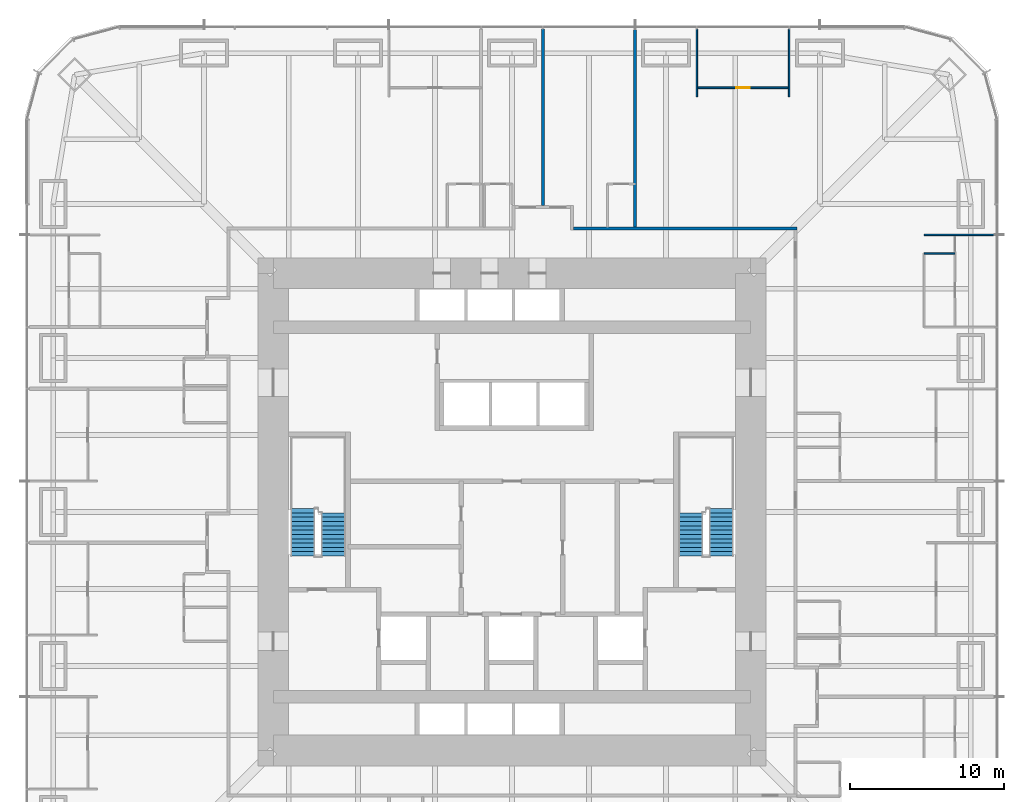
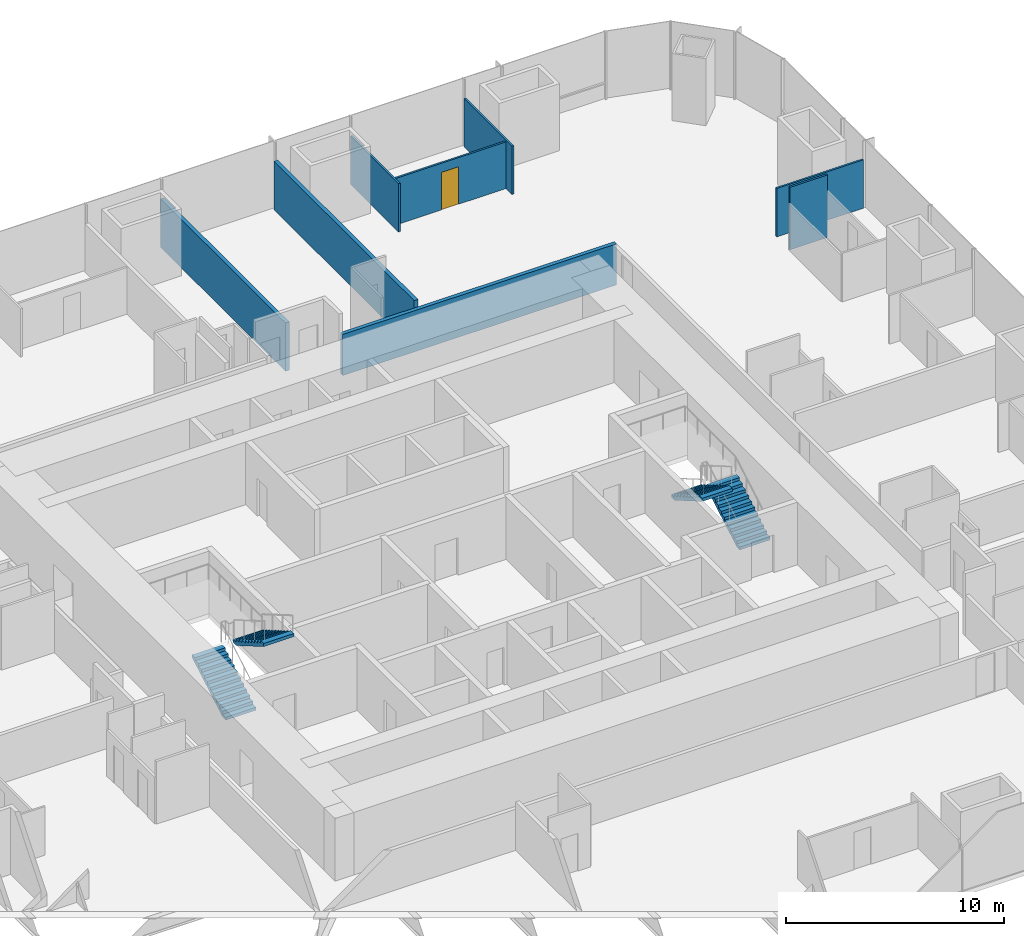
# One storey, part 16 of 17: 8 walls, 4 stair flights, 1 door, 1 opening, 2 elements without a shape of their own.
"""IFC4 building model written with IfcOpenShell, lengths in metres."""

from ifc_helpers import new_model, si_unit, direction, frame, frame_2d, origin, place, context, subcontext, project, spatial, polyline, rectangle, outline, extrude, material, layer, layer_set, type_object, element, fill, aggregate, save


model = new_model("IFC4")

# Units and contexts
model_context = context("Model", 3, precision=1e-05, world=origin(), true_north=direction((0.0, 1.0)))
body_context = subcontext(model_context, "Body", "Model", "MODEL_VIEW")
ifc_project = project(units=[si_unit("LENGTHUNIT", "METRE"), si_unit("AREAUNIT", "SQUARE_METRE"), si_unit("VOLUMEUNIT", "CUBIC_METRE"), si_unit("PLANEANGLEUNIT", "RADIAN"), si_unit("MASSUNIT", "GRAM", prefix="KILO")], contexts=[model_context])

# Site, building, storey
site_placement = place(None, origin())
site = spatial("IfcSite", under=ifc_project, at=site_placement, CompositionType="ELEMENT")
building_placement = place(site_placement, origin())
building = spatial("IfcBuilding", under=site, at=building_placement, Name="Khuree Lantern Residences", CompositionType="ELEMENT")
storey_placement = place(building_placement, frame((0.0, 0.0, 51.0)))
storey = spatial("IfcBuildingStorey", under=building, at=storey_placement, Name="L12", CompositionType="ELEMENT", Elevation=51.0)

# Walls
ifc_material_1 = material(Name="Gypsum board on steel studs", Category="steel")
ifc_layer_1 = layer(ifc_material_1, 0.199951171875)
ifc_layer_set_1 = layer_set([ifc_layer_1], Name="CORRIDOR WALL CRW200 EI 60")
wall_type_1 = type_object("IfcWallType", Name="CORRIDOR WALL CRW200 EI 60", PredefinedType="PARTITIONING", material=ifc_layer_set_1)
wall_1_placement = place(storey_placement, frame((4.0, 18.39990234375, 0.0), z_axis=(0.0, 0.0, 1.0), x_axis=(1.0, 0.0, 0.0)))
element("IfcWall", 1, at=wall_1_placement, inside=storey, type_object=wall_type_1, Name="L12 CORRIDOR WALL NORTH 2", PredefinedType="PARTITIONING", context=body_context, shape_type="SweptSolid", body=[
    extrude(rectangle(XDim=14.5, YDim=0.199951171875, at=frame_2d((7.25, 0.0))), origin(), (0.0, 0.0, 1.0), 2.300048828125),
])
ifc_layer_2 = layer(ifc_material_1, 0.199951171875)
ifc_layer_set_2 = layer_set([ifc_layer_2], Name="DEMISING WALL DMW200 EI 90")
wall_type_2 = type_object("IfcWallType", Name="DEMISING WALL DMW200 EI 90", PredefinedType="PARTITIONING", material=ifc_layer_set_2)
wall_2_placement = place(storey_placement, frame((8.0, 18.5, 0.0), z_axis=(0.0, 0.0, 1.0), x_axis=(0.0, 1.0, 0.0)))
element("IfcWall", 2, at=wall_2_placement, inside=storey, type_object=wall_type_2, Name="L12 DEMISING WALL 03", PredefinedType="PARTITIONING", context=body_context, shape_type="SweptSolid", body=[
    extrude(rectangle(XDim=12.85009765625, YDim=0.199951171875, at=frame_2d((6.425048828125, 0.0))), origin(), (0.0, 0.0, 1.0), 2.7099609375),
])
wall_3_placement = place(storey_placement, frame((2.0, 19.89990234375, 0.0), z_axis=(0.0, 0.0, 1.0), x_axis=(0.0, 1.0, 0.0)))
element("IfcWall", 3, at=wall_3_placement, inside=storey, type_object=wall_type_2, Name="L12 DEMISING WALL 04", PredefinedType="PARTITIONING", context=body_context, shape_type="SweptSolid", body=[
    extrude(rectangle(XDim=11.4501953125, YDim=0.199951171875, at=frame_2d((5.72509765625, 0.0))), origin(), (0.0, 0.0, 1.0), 2.7099609375),
])
ifc_layer_3 = layer(ifc_material_1, 0.10009765625)
ifc_layer_set_3 = layer_set([ifc_layer_3], Name="PARTITION PT100")
wall_type_3 = type_object("IfcWallType", Name="PARTITION PT100", PredefinedType="PARTITIONING", material=ifc_layer_set_3)
wall_4_placement = place(storey_placement, frame((26.7666015625, 18.0, 0.0), z_axis=(0.0, 0.0, 1.0), x_axis=(1.0, 0.0, 0.0)))
element("IfcWall", 4, at=wall_4_placement, inside=storey, type_object=wall_type_3, Name="L12 PARTITION 02", PredefinedType="PARTITIONING", context=body_context, shape_type="SweptSolid", body=[
    extrude(rectangle(XDim=4.58349609375, YDim=0.10009765625, at=frame_2d((2.291748046875, 0.0))), origin(), (0.0, 0.0, 1.0), 2.7099609375),
])
for number, where, z_axis, x_axis, name in (
    (5, (18.0, 26.949951171875, 0.0), (0.0, 0.0, 1.0), (0.0, 1.0, 0.0), "L12 PARTITION 02"),
    (6, (12.0, 26.949951171875, 0.0), (0.0, 0.0, 1.0), (0.0, 1.0, 0.0), "L12 PARTITION 02"),
):
    element("IfcWall", number, at=place(storey_placement, frame(where, z_axis=z_axis, x_axis=x_axis)), inside=storey, type_object=wall_type_3, Name=name, PredefinedType="PARTITIONING", context=body_context, shape_type="SweptSolid", body=[
        extrude(rectangle(XDim=4.400146484375, YDim=0.10009765625, at=frame_2d((2.2001953125, 0.0))), origin(), (0.0, 0.0, 1.0), 2.7099609375),
    ])
wall_5_placement = place(storey_placement, frame((26.7666015625, 16.800048828125, 0.0), z_axis=(0.0, 0.0, 1.0), x_axis=(1.0, 0.0, 0.0)))
element("IfcWall", 7, at=wall_5_placement, inside=storey, type_object=wall_type_3, Name="L12 PARTITION 02", PredefinedType="PARTITIONING", context=body_context, shape_type="SweptSolid", body=[
    extrude(rectangle(XDim=2.0, YDim=0.10009765625, at=frame_2d((1.0, 0.0))), origin(), (0.0, 0.0, 1.0), 3.5),
])

# Wall, opening, door
wall_6_placement = place(storey_placement, frame((18.0, 27.550048828125, 0.0), z_axis=(0.0, 0.0, 1.0), x_axis=(-1.0, 0.0, 0.0)))
wall_6 = element("IfcWall", 8, at=wall_6_placement, inside=storey, type_object=wall_type_3, Name="L12 PARTITION 02", PredefinedType="PARTITIONING", context=body_context, shape_type="SweptSolid", body=[
    extrude(rectangle(XDim=6.0, YDim=0.10009765625, at=frame_2d((3.0, 0.0))), origin(), (0.0, 0.0, 1.0), 2.610107421875),
])
opening_placement = place(wall_6_placement, frame((2.550048828125, 0.0, 0.0)))
opening = element("IfcOpeningElement", 9, at=opening_placement, cuts=wall_6, Name="Opening 12-027", PredefinedType="OPENING", context=body_context, shape_type="SweptSolid", body=[
    extrude(rectangle(XDim=0.89990234375, YDim=2.10009765625, at=frame_2d((0.449951171875, 1.050048828125))), frame((0.0, 0.06005859375, 0.0), z_axis=(0.0, -1.0, 0.0), x_axis=(1.0, 0.0, 0.0)), (0.0, 0.0, 1.0), 0.1201171875),
])
ifc_material_2 = material(Name="Timber door leaf in hardwood frame", Category="wood")
door_type = type_object("IfcDoorType", Name="BEDROOM DOOR 900X2100", OperationType="SINGLE_SWING_LEFT", PredefinedType="DOOR", material=ifc_material_2)
door_placement = place(opening_placement, origin())
door = element("IfcDoor", 10, at=door_placement, inside=storey, type_object=door_type, Name="Bedroom door 12-027", OperationType="SINGLE_SWING_LEFT", OverallHeight=2.10009765625, OverallWidth=0.89990234375, PredefinedType="DOOR", context=body_context, shape_type="SweptSolid", body=[
    extrude(rectangle(XDim=0.89990234375, YDim=2.10009765625, at=frame_2d((0.449951171875, 1.050048828125))), frame((0.0, 0.02490234375, 0.0), z_axis=(0.0, -1.0, 0.0), x_axis=(1.0, 0.0, 0.0)), (0.0, 0.0, 1.0), 0.050048828125),
])
fill(opening, door)

# Stair, stair flights
ifc_material_3 = material(Name="Concrete C40/50", Category="concrete")
stair_type = type_object("IfcStairType", Name="STAIR ST1 HALF TURN 3600", PredefinedType="HALF_TURN_STAIR", material=ifc_material_3)
stair_1_placement = place(storey_placement, origin())
stair_1 = element("IfcStair", 11, at=stair_1_placement, inside=storey, type_object=stair_type, Name="Stair ST1", PredefinedType="HALF_TURN_STAIR")
stair_flight_type = type_object("IfcStairFlightType", Name="STAIR FLIGHT SF1 1600", PredefinedType="STRAIGHT", material=ifc_material_3)
stair_flight_1_placement = place(storey_placement, frame((-13.60009765625, -2.860107421875, 0.0), z_axis=(0.0, 0.0, 1.0), x_axis=(0.0, 1.0, 0.0)))
stair_flight_1 = element("IfcStairFlight", 12, at=stair_flight_1_placement, type_object=stair_flight_type, Name="ST1 flight 1", NumberOfRisers=12, NumberOfTreads=11, PredefinedType="STRAIGHT", RiserHeight=0.163043478, TreadLength=0.28, context=body_context, shape_type="SweptSolid", body=[
    extrude(outline(polyline([(0.0, 0.0), (0.0, 0.1630859375), (0.280029296875, 0.1630859375), (0.280029296875, 0.326171875), (0.56005859375, 0.326171875), (0.56005859375, 0.489013671875), (0.840087890625, 0.489013671875), (0.840087890625, 0.652099609375), (1.1201171875, 0.652099609375), (1.1201171875, 0.815185546875), (1.39990234375, 0.815185546875), (1.39990234375, 0.978271484375), (1.679931640625, 0.978271484375), (1.679931640625, 1.141357421875), (1.9599609375, 1.141357421875), (1.9599609375, 1.304443359375), (2.239990234375, 1.304443359375), (2.239990234375, 1.46728515625), (2.52001953125, 1.46728515625), (2.52001953125, 1.63037109375), (2.800048828125, 1.63037109375), (2.800048828125, 1.79345703125), (3.080078125, 1.79345703125), (3.080078125, 1.95654296875), (3.080078125, 1.6201171875), (0.2978515625, 0.0), (0.0, 0.0)])), frame((0.0, 0.800048828125, 0.0), z_axis=(0.0, -1.0, 0.0), x_axis=(1.0, 0.0, 0.0)), (0.0, 0.0, 1.0), 1.60009765625),
])
stair_flight_2_placement = place(storey_placement, frame((-11.60009765625, -0.06005859375, 1.95654296875), z_axis=(0.0, 0.0, 1.0), x_axis=(0.0, -1.0, 0.0)))
stair_flight_2 = element("IfcStairFlight", 13, at=stair_flight_2_placement, type_object=stair_flight_type, Name="ST1 flight 2", NumberOfRisers=11, NumberOfTreads=10, PredefinedType="STRAIGHT", RiserHeight=0.163043478, TreadLength=0.28, context=body_context, shape_type="SweptSolid", body=[
    extrude(outline(polyline([(0.0, 0.0), (0.0, 0.1630859375), (0.280029296875, 0.1630859375), (0.280029296875, 0.326171875), (0.56005859375, 0.326171875), (0.56005859375, 0.489013671875), (0.840087890625, 0.489013671875), (0.840087890625, 0.652099609375), (1.1201171875, 0.652099609375), (1.1201171875, 0.815185546875), (1.39990234375, 0.815185546875), (1.39990234375, 0.978271484375), (1.679931640625, 0.978271484375), (1.679931640625, 1.141357421875), (1.9599609375, 1.141357421875), (1.9599609375, 1.304443359375), (2.239990234375, 1.304443359375), (2.239990234375, 1.46728515625), (2.52001953125, 1.46728515625), (2.52001953125, 1.63037109375), (2.800048828125, 1.63037109375), (2.800048828125, 1.79345703125), (2.800048828125, 1.45703125), (0.2978515625, 0.0), (0.0, 0.0)])), frame((0.0, 0.800048828125, 0.0), z_axis=(0.0, -1.0, 0.0), x_axis=(1.0, 0.0, 0.0)), (0.0, 0.0, 1.0), 1.60009765625),
])
aggregate(stair_1, [stair_flight_1, stair_flight_2])

stair_2_placement = place(storey_placement, origin())
stair_2 = element("IfcStair", 14, at=stair_2_placement, inside=storey, type_object=stair_type, Name="Stair ST2", PredefinedType="HALF_TURN_STAIR")
stair_flight_3_placement = place(storey_placement, frame((13.60009765625, -2.860107421875, 0.0), z_axis=(0.0, 0.0, 1.0), x_axis=(0.0, 1.0, 0.0)))
stair_flight_3 = element("IfcStairFlight", 15, at=stair_flight_3_placement, type_object=stair_flight_type, Name="ST2 flight 1", NumberOfRisers=12, NumberOfTreads=11, PredefinedType="STRAIGHT", RiserHeight=0.163043478, TreadLength=0.28, context=body_context, shape_type="SweptSolid", body=[
    extrude(outline(polyline([(0.0, 0.0), (0.0, 0.1630859375), (0.280029296875, 0.1630859375), (0.280029296875, 0.326171875), (0.56005859375, 0.326171875), (0.56005859375, 0.489013671875), (0.840087890625, 0.489013671875), (0.840087890625, 0.652099609375), (1.1201171875, 0.652099609375), (1.1201171875, 0.815185546875), (1.39990234375, 0.815185546875), (1.39990234375, 0.978271484375), (1.679931640625, 0.978271484375), (1.679931640625, 1.141357421875), (1.9599609375, 1.141357421875), (1.9599609375, 1.304443359375), (2.239990234375, 1.304443359375), (2.239990234375, 1.46728515625), (2.52001953125, 1.46728515625), (2.52001953125, 1.63037109375), (2.800048828125, 1.63037109375), (2.800048828125, 1.79345703125), (3.080078125, 1.79345703125), (3.080078125, 1.95654296875), (3.080078125, 1.6201171875), (0.2978515625, 0.0), (0.0, 0.0)])), frame((0.0, 0.800048828125, 0.0), z_axis=(0.0, -1.0, 0.0), x_axis=(1.0, 0.0, 0.0)), (0.0, 0.0, 1.0), 1.60009765625),
])
stair_flight_4_placement = place(storey_placement, frame((11.60009765625, -0.06005859375, 1.95654296875), z_axis=(0.0, 0.0, 1.0), x_axis=(0.0, -1.0, 0.0)))
stair_flight_4 = element("IfcStairFlight", 16, at=stair_flight_4_placement, type_object=stair_flight_type, Name="ST2 flight 2", NumberOfRisers=11, NumberOfTreads=10, PredefinedType="STRAIGHT", RiserHeight=0.163043478, TreadLength=0.28, context=body_context, shape_type="SweptSolid", body=[
    extrude(outline(polyline([(0.0, 0.0), (0.0, 0.1630859375), (0.280029296875, 0.1630859375), (0.280029296875, 0.326171875), (0.56005859375, 0.326171875), (0.56005859375, 0.489013671875), (0.840087890625, 0.489013671875), (0.840087890625, 0.652099609375), (1.1201171875, 0.652099609375), (1.1201171875, 0.815185546875), (1.39990234375, 0.815185546875), (1.39990234375, 0.978271484375), (1.679931640625, 0.978271484375), (1.679931640625, 1.141357421875), (1.9599609375, 1.141357421875), (1.9599609375, 1.304443359375), (2.239990234375, 1.304443359375), (2.239990234375, 1.46728515625), (2.52001953125, 1.46728515625), (2.52001953125, 1.63037109375), (2.800048828125, 1.63037109375), (2.800048828125, 1.79345703125), (2.800048828125, 1.45703125), (0.2978515625, 0.0), (0.0, 0.0)])), frame((0.0, 0.800048828125, 0.0), z_axis=(0.0, -1.0, 0.0), x_axis=(1.0, 0.0, 0.0)), (0.0, 0.0, 1.0), 1.60009765625),
])
aggregate(stair_2, [stair_flight_3, stair_flight_4])

save(model, "model.ifc")
